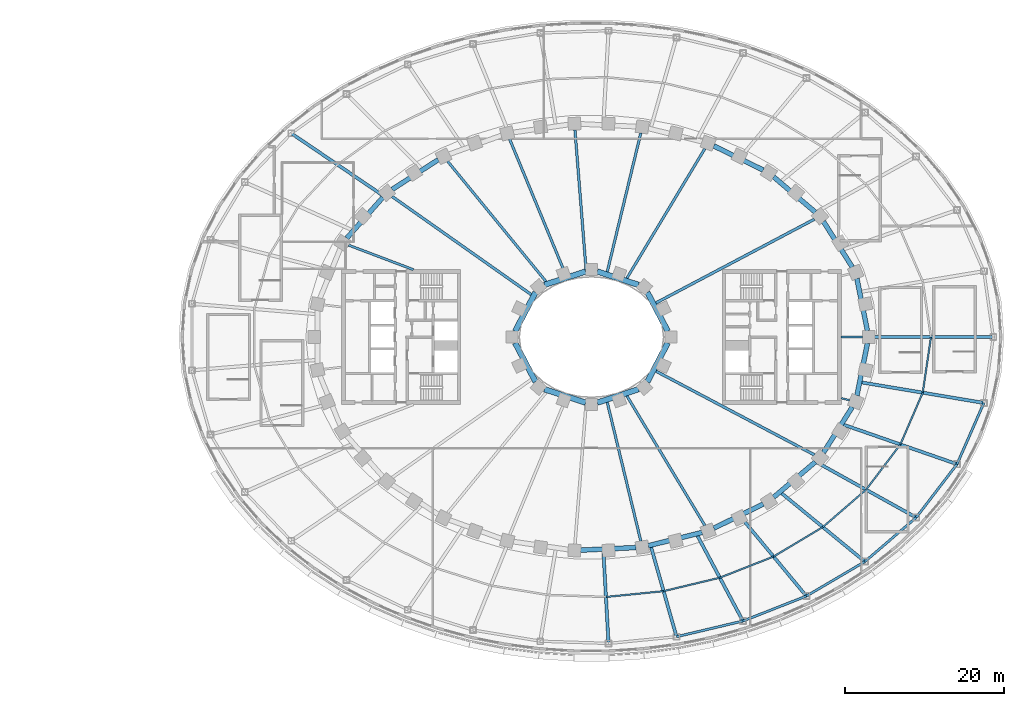
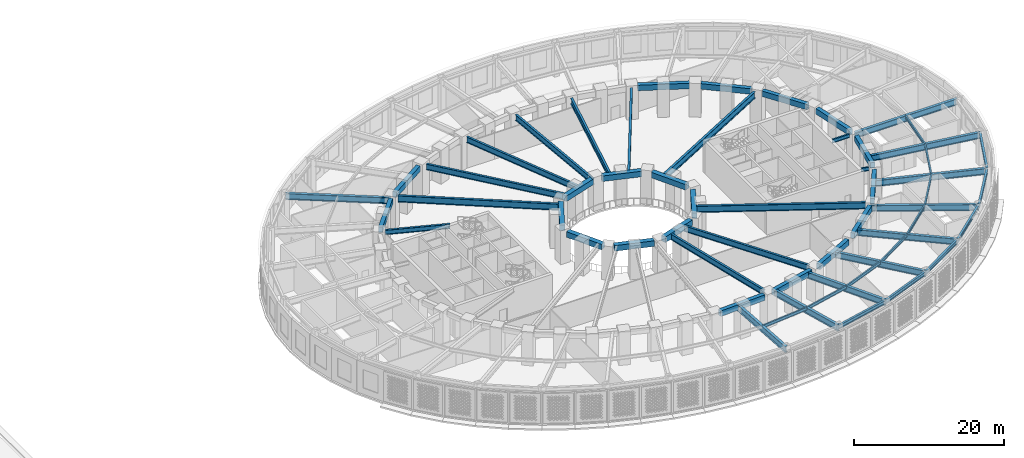
# One storey, part 4 of 63: 57 beams.
"""IFC4 building model written with IfcOpenShell, lengths in metres."""

from ifc_helpers import new_model, si_unit, direction, frame, origin, origin_2d, place, context, subcontext, project, spatial, rectangle, i_section, extrude, material, material_profile, profile_set, type_object, element, save


model = new_model("IFC4")

# Units and contexts
model_context = context("Model", 3, precision=1e-05, world=origin(), true_north=direction((0.0, 1.0)))
body_context = subcontext(model_context, "Body", "Model", "MODEL_VIEW")
ifc_project = project(units=[si_unit("LENGTHUNIT", "METRE"), si_unit("AREAUNIT", "SQUARE_METRE"), si_unit("VOLUMEUNIT", "CUBIC_METRE"), si_unit("PLANEANGLEUNIT", "RADIAN"), si_unit("MASSUNIT", "GRAM", prefix="KILO")], contexts=[model_context])

# Site, building, storey
site_placement = place(None, origin())
site = spatial("IfcSite", under=ifc_project, at=site_placement, CompositionType="ELEMENT")
building_placement = place(site_placement, origin())
building = spatial("IfcBuilding", under=site, at=building_placement, Name="Noorbagh Ring Tower", CompositionType="ELEMENT")
storey_placement = place(building_placement, frame((0.0, 0.0, 25.0)))
storey = spatial("IfcBuildingStorey", under=building, at=storey_placement, Name="L04", CompositionType="ELEMENT", Elevation=25.0)

# Beams
ifc_material_1 = material(Name="Steel S355", Category="steel")
ifc_material_profile_1 = material_profile(ifc_material_1, i_section(OverallWidth=0.300048828125, OverallDepth=0.60009765625, WebThickness=0.015380859375, FlangeThickness=0.030029296875, FilletRadius=0.027099609375, at=origin_2d()), Name="HEB600")
ifc_profile_set_1 = profile_set([ifc_material_profile_1], Name="Steel S355")
beam_type_1 = type_object("IfcBeamType", Name="GND-EDGE-BEAM-HEB600", PredefinedType="BEAM", material=ifc_profile_set_1)
beam_1_placement = place(storey_placement, frame((10.724609375, -37.771240234375, 4.89990234375), z_axis=(0.973167977411, 0.230095822957, 0.0), x_axis=(-0.230095822957, 0.973167977411, 0.0)))
element("IfcBeam", 1, at=beam_1_placement, inside=storey, type_object=beam_type_1, Name="L04/bm/ERP-27", PredefinedType="BEAM", context=body_context, shape_type="SweptSolid", body=[
    extrude(i_section(OverallWidth=0.300048828125, OverallDepth=0.60009765625, WebThickness=0.015380859375, FlangeThickness=0.030029296875, FilletRadius=0.027099609375, at=origin_2d()), origin(), (0.0, 0.0, 1.0), 8.602783203125),
])
beam_2_placement = place(storey_placement, frame((19.0966796875, -35.791748046875, 4.89990234375), z_axis=(0.930571668723, 0.366109777758, 0.0), x_axis=(-0.366109777758, 0.930571668723, 0.0)))
element("IfcBeam", 2, at=beam_2_placement, inside=storey, type_object=beam_type_1, Name="L04/bm/ERP-28", PredefinedType="BEAM", context=body_context, shape_type="SweptSolid", body=[
    extrude(i_section(OverallWidth=0.300048828125, OverallDepth=0.60009765625, WebThickness=0.015380859375, FlangeThickness=0.030029296875, FilletRadius=0.027099609375, at=origin_2d()), origin(), (0.0, 0.0, 1.0), 8.58642578125),
])
beam_3_placement = place(storey_placement, frame((27.0869140625, -32.648193359375, 4.89990234375), z_axis=(0.8618652907, 0.507137279922, 0.0), x_axis=(-0.507137279922, 0.8618652907, 0.0)))
element("IfcBeam", 3, at=beam_3_placement, inside=storey, type_object=beam_type_1, Name="L04/bm/ERP-29", PredefinedType="BEAM", context=body_context, shape_type="SweptSolid", body=[
    extrude(i_section(OverallWidth=0.300048828125, OverallDepth=0.60009765625, WebThickness=0.015380859375, FlangeThickness=0.030029296875, FilletRadius=0.027099609375, at=origin_2d()), origin(), (0.0, 0.0, 1.0), 8.560302734375),
])
beam_4_placement = place(storey_placement, frame((34.46484375, -28.306884765625, 4.89990234375), z_axis=(0.758254861469, 0.651958254076, 0.0), x_axis=(-0.651958254076, 0.758254861469, 0.0)))
element("IfcBeam", 4, at=beam_4_placement, inside=storey, type_object=beam_type_1, Name="L04/bm/ERP-30", PredefinedType="BEAM", context=body_context, shape_type="SweptSolid", body=[
    extrude(i_section(OverallWidth=0.300048828125, OverallDepth=0.60009765625, WebThickness=0.015380859375, FlangeThickness=0.030029296875, FilletRadius=0.027099609375, at=origin_2d()), origin(), (0.0, 0.0, 1.0), 8.5234375),
])
beam_5_placement = place(storey_placement, frame((40.927734375, -22.75, 4.89990234375), z_axis=(0.608048680374, 0.793899743227, 0.0), x_axis=(-0.793899743227, 0.608048680374, 0.0)))
element("IfcBeam", 5, at=beam_5_placement, inside=storey, type_object=beam_type_1, Name="L04/bm/ERP-31", PredefinedType="BEAM", context=body_context, shape_type="SweptSolid", body=[
    extrude(i_section(OverallWidth=0.300048828125, OverallDepth=0.60009765625, WebThickness=0.015380859375, FlangeThickness=0.030029296875, FilletRadius=0.027099609375, at=origin_2d()), origin(), (0.0, 0.0, 1.0), 8.4755859375),
])
beam_6_placement = place(storey_placement, frame((46.081298828125, -16.021240234375, 4.89990234375), z_axis=(0.401171506371, 0.916002959862, 0.0), x_axis=(-0.916002959862, 0.401171506371, 0.0)))
element("IfcBeam", 6, at=beam_6_placement, inside=storey, type_object=beam_type_1, Name="L04/bm/ERP-32", PredefinedType="BEAM", context=body_context, shape_type="SweptSolid", body=[
    extrude(i_section(OverallWidth=0.300048828125, OverallDepth=0.60009765625, WebThickness=0.015380859375, FlangeThickness=0.030029296875, FilletRadius=0.027099609375, at=origin_2d()), origin(), (0.0, 0.0, 1.0), 8.42431640625),
])
ifc_material_2 = material(Name="Steel S355", Category="steel")
ifc_material_profile_2 = material_profile(ifc_material_2, i_section(OverallWidth=0.39990234375, OverallDepth=1.0, WebThickness=0.01611328125, FlangeThickness=0.0400390625, at=origin_2d()), Name="PG1000x400x16x40")
ifc_profile_set_2 = profile_set([ifc_material_profile_2], Name="Steel S355")
beam_type_2 = type_object("IfcBeamType", Name="GND-GIRDER-PG1000x400x16x40", PredefinedType="BEAM", material=ifc_profile_set_2)
beam_7_placement = place(storey_placement, frame((50.646484375, 0.0, 4.699951171875), z_axis=(-1.0, 0.0, 0.0), x_axis=(0.0, -1.0, 0.0)))
element("IfcBeam", 7, at=beam_7_placement, inside=storey, type_object=beam_type_2, Name="L04/bm/GRP-01", PredefinedType="BEAM", context=body_context, shape_type="SweptSolid", body=[
    extrude(i_section(OverallWidth=0.39990234375, OverallDepth=1.0, WebThickness=0.01611328125, FlangeThickness=0.0400390625, at=origin_2d()), origin(), (0.0, 0.0, 1.0), 15.701904296875),
])
beam_8_placement = place(storey_placement, frame((-37.8330078125, 25.679931640625, 4.699951171875), z_axis=(0.82739656341, -0.561618132593, 0.0), x_axis=(0.561618132593, 0.82739656341, 0.0)))
element("IfcBeam", 8, at=beam_8_placement, inside=storey, type_object=beam_type_2, Name="L04/bm/GRP-14", PredefinedType="BEAM", context=body_context, shape_type="SweptSolid", body=[
    extrude(i_section(OverallWidth=0.39990234375, OverallDepth=1.0, WebThickness=0.01611328125, FlangeThickness=0.0400390625, at=origin_2d()), origin(), (0.0, 0.0, 1.0), 14.06640625),
])
beam_9_placement = place(storey_placement, frame((2.154541015625, -38.6142578125, 4.699951171875), z_axis=(-0.055716608816, 0.998446623261, 0.0), x_axis=(-0.998446623261, -0.055716608816, 0.0)))
element("IfcBeam", 9, at=beam_9_placement, inside=storey, type_object=beam_type_2, Name="L04/bm/GRP-26", PredefinedType="BEAM", context=body_context, shape_type="SweptSolid", body=[
    extrude(i_section(OverallWidth=0.39990234375, OverallDepth=1.0, WebThickness=0.01611328125, FlangeThickness=0.0400390625, at=origin_2d()), origin(), (0.0, 0.0, 1.0), 11.734619140625),
])
beam_10_placement = place(storey_placement, frame((10.724609375, -37.771240234375, 4.699951171875), z_axis=(-0.273130016452, 0.961977127645, 0.0), x_axis=(-0.961977127645, -0.273130016452, 0.0)))
element("IfcBeam", 10, at=beam_10_placement, inside=storey, type_object=beam_type_2, Name="L04/bm/GRP-27", PredefinedType="BEAM", context=body_context, shape_type="SweptSolid", body=[
    extrude(i_section(OverallWidth=0.39990234375, OverallDepth=1.0, WebThickness=0.01611328125, FlangeThickness=0.0400390625, at=origin_2d()), origin(), (0.0, 0.0, 1.0), 11.939208984375),
])
beam_11_placement = place(storey_placement, frame((19.0966796875, -35.791748046875, 4.699951171875), z_axis=(-0.470746944877, 0.88226827773, 0.0), x_axis=(-0.88226827773, -0.470746944877, 0.0)))
element("IfcBeam", 11, at=beam_11_placement, inside=storey, type_object=beam_type_2, Name="L04/bm/GRP-28", PredefinedType="BEAM", context=body_context, shape_type="SweptSolid", body=[
    extrude(i_section(OverallWidth=0.39990234375, OverallDepth=1.0, WebThickness=0.01611328125, FlangeThickness=0.0400390625, at=origin_2d()), origin(), (0.0, 0.0, 1.0), 12.375),
])
beam_12_placement = place(storey_placement, frame((27.0869140625, -32.648193359375, 4.699951171875), z_axis=(-0.638516852805, 0.769607840841, 0.0), x_axis=(-0.769607840841, -0.638516852805, 0.0)))
element("IfcBeam", 12, at=beam_12_placement, inside=storey, type_object=beam_type_2, Name="L04/bm/GRP-29", PredefinedType="BEAM", context=body_context, shape_type="SweptSolid", body=[
    extrude(i_section(OverallWidth=0.39990234375, OverallDepth=1.0, WebThickness=0.01611328125, FlangeThickness=0.0400390625, at=origin_2d()), origin(), (0.0, 0.0, 1.0), 12.943603515625),
])
beam_13_placement = place(storey_placement, frame((34.46484375, -28.306884765625, 4.699951171875), z_axis=(-0.772763025599, 0.63469465593, 0.0), x_axis=(-0.63469465593, -0.772763025599, 0.0)))
element("IfcBeam", 13, at=beam_13_placement, inside=storey, type_object=beam_type_2, Name="L04/bm/GRP-30", PredefinedType="BEAM", context=body_context, shape_type="SweptSolid", body=[
    extrude(i_section(OverallWidth=0.39990234375, OverallDepth=1.0, WebThickness=0.01611328125, FlangeThickness=0.0400390625, at=origin_2d()), origin(), (0.0, 0.0, 1.0), 13.723388671875),
])
beam_14_placement = place(storey_placement, frame((40.927734375, -22.75, 4.699951171875), z_axis=(-0.874045637009, 0.485843827197, 0.0), x_axis=(-0.485843827197, -0.874045637009, 0.0)))
element("IfcBeam", 14, at=beam_14_placement, inside=storey, type_object=beam_type_2, Name="L04/bm/GRP-31", PredefinedType="BEAM", context=body_context, shape_type="SweptSolid", body=[
    extrude(i_section(OverallWidth=0.39990234375, OverallDepth=1.0, WebThickness=0.01611328125, FlangeThickness=0.0400390625, at=origin_2d()), origin(), (0.0, 0.0, 1.0), 14.444580078125),
])
beam_15_placement = place(storey_placement, frame((46.081298828125, -16.021240234375, 4.699951171875), z_axis=(-0.94453989429, 0.328396693185, 0.0), x_axis=(-0.328396693185, -0.94453989429, 0.0)))
element("IfcBeam", 15, at=beam_15_placement, inside=storey, type_object=beam_type_2, Name="L04/bm/GRP-32", PredefinedType="BEAM", context=body_context, shape_type="SweptSolid", body=[
    extrude(i_section(OverallWidth=0.39990234375, OverallDepth=1.0, WebThickness=0.01611328125, FlangeThickness=0.0400390625, at=origin_2d()), origin(), (0.0, 0.0, 1.0), 15.12890625),
])
beam_16_placement = place(storey_placement, frame((49.4609375, -8.304443359375, 4.699951171875), z_axis=(-0.986194768087, 0.165589490602, 0.0), x_axis=(-0.165589490602, -0.986194768087, 0.0)))
element("IfcBeam", 16, at=beam_16_placement, inside=storey, type_object=beam_type_2, Name="L04/bm/GRP-33", PredefinedType="BEAM", context=body_context, shape_type="SweptSolid", body=[
    extrude(i_section(OverallWidth=0.39990234375, OverallDepth=1.0, WebThickness=0.01611328125, FlangeThickness=0.0400390625, at=origin_2d()), origin(), (0.0, 0.0, 1.0), 15.62841796875),
])
ifc_material_3 = material(Name="Steel S355", Category="steel")
ifc_material_profile_3 = material_profile(ifc_material_3, i_section(OverallWidth=0.199951171875, OverallDepth=0.5, WebThickness=0.01025390625, FlangeThickness=0.01611328125, FilletRadius=0.02099609375, at=origin_2d()), Name="IPE500")
ifc_profile_set_3 = profile_set([ifc_material_profile_3], Name="Steel S355")
beam_type_3 = type_object("IfcBeamType", Name="GND-MID-BEAM-IPE500", PredefinedType="JOIST", material=ifc_profile_set_3)
beam_17_placement = place(storey_placement, frame((1.82763671875, -32.756103515625, 4.949951171875), z_axis=(0.99502493545, 0.099626190493, 0.0), x_axis=(-0.099626190493, 0.99502493545, 0.0)))
element("IfcBeam", 17, at=beam_17_placement, inside=storey, type_object=beam_type_3, Name="L04/bm/MRP-26", PredefinedType="JOIST", context=body_context, shape_type="SweptSolid", body=[
    extrude(i_section(OverallWidth=0.199951171875, OverallDepth=0.5, WebThickness=0.01025390625, FlangeThickness=0.01611328125, FilletRadius=0.02099609375, at=origin_2d()), origin(), (0.0, 0.0, 1.0), 7.302734375),
])
beam_18_placement = place(storey_placement, frame((9.093994140625, -32.028564453125, 4.949951171875), z_axis=(0.972568186564, 0.23261797541, 0.0), x_axis=(-0.23261797541, 0.972568186564, 0.0)))
element("IfcBeam", 18, at=beam_18_placement, inside=storey, type_object=beam_type_3, Name="L04/bm/MRP-27", PredefinedType="JOIST", context=body_context, shape_type="SweptSolid", body=[
    extrude(i_section(OverallWidth=0.199951171875, OverallDepth=0.5, WebThickness=0.01025390625, FlangeThickness=0.01611328125, FilletRadius=0.02099609375, at=origin_2d()), origin(), (0.0, 0.0, 1.0), 7.2900390625),
])
beam_19_placement = place(storey_placement, frame((16.18408203125, -30.332763671875, 4.949951171875), z_axis=(0.930496782909, 0.36630006415, 0.0), x_axis=(-0.36630006415, 0.930496782909, 0.0)))
element("IfcBeam", 19, at=beam_19_placement, inside=storey, type_object=beam_type_3, Name="L04/bm/MRP-28", PredefinedType="JOIST", context=body_context, shape_type="SweptSolid", body=[
    extrude(i_section(OverallWidth=0.199951171875, OverallDepth=0.5, WebThickness=0.01025390625, FlangeThickness=0.01611328125, FilletRadius=0.02099609375, at=origin_2d()), origin(), (0.0, 0.0, 1.0), 7.276123046875),
])
beam_20_placement = place(storey_placement, frame((22.95458984375, -27.66748046875, 4.949951171875), z_axis=(0.858046251749, 0.513572419293, 0.0), x_axis=(-0.513572419293, 0.858046251749, 0.0)))
element("IfcBeam", 20, at=beam_20_placement, inside=storey, type_object=beam_type_3, Name="L04/bm/MRP-29", PredefinedType="JOIST", context=body_context, shape_type="SweptSolid", body=[
    extrude(i_section(OverallWidth=0.199951171875, OverallDepth=0.5, WebThickness=0.01025390625, FlangeThickness=0.01611328125, FilletRadius=0.02099609375, at=origin_2d()), origin(), (0.0, 0.0, 1.0), 7.23486328125),
])
beam_21_placement = place(storey_placement, frame((29.162353515625, -23.951904296875, 4.949951171875), z_axis=(0.756711012056, 0.653749527138, 0.0), x_axis=(-0.653749527138, 0.756711012056, 0.0)))
element("IfcBeam", 21, at=beam_21_placement, inside=storey, type_object=beam_type_3, Name="L04/bm/MRP-30", PredefinedType="JOIST", context=body_context, shape_type="SweptSolid", body=[
    extrude(i_section(OverallWidth=0.199951171875, OverallDepth=0.5, WebThickness=0.01025390625, FlangeThickness=0.01611328125, FilletRadius=0.02099609375, at=origin_2d()), origin(), (0.0, 0.0, 1.0), 7.2060546875),
])
beam_22_placement = place(storey_placement, frame((34.615234375, -19.240966796875, 4.949951171875), z_axis=(0.603852432952, 0.79709612922, 0.0), x_axis=(-0.79709612922, 0.603852432952, 0.0)))
element("IfcBeam", 22, at=beam_22_placement, inside=storey, type_object=beam_type_3, Name="L04/bm/MRP-31", PredefinedType="JOIST", context=body_context, shape_type="SweptSolid", body=[
    extrude(i_section(OverallWidth=0.199951171875, OverallDepth=0.5, WebThickness=0.01025390625, FlangeThickness=0.01611328125, FilletRadius=0.02099609375, at=origin_2d()), origin(), (0.0, 0.0, 1.0), 7.15576171875),
])
beam_23_placement = place(storey_placement, frame((38.936279296875, -13.537109375, 4.949951171875), z_axis=(0.396441936779, 0.918059796943, 0.0), x_axis=(-0.918059796943, 0.396441936779, 0.0)))
element("IfcBeam", 23, at=beam_23_placement, inside=storey, type_object=beam_type_3, Name="L04/bm/MRP-32", PredefinedType="JOIST", context=body_context, shape_type="SweptSolid", body=[
    extrude(i_section(OverallWidth=0.199951171875, OverallDepth=0.5, WebThickness=0.01025390625, FlangeThickness=0.01611328125, FilletRadius=0.02099609375, at=origin_2d()), origin(), (0.0, 0.0, 1.0), 7.109130859375),
])
beam_24_placement = place(storey_placement, frame((41.754638671875, -7.010498046875, 4.949951171875), z_axis=(0.146883230649, 0.989153838669, 0.0), x_axis=(-0.989153838669, 0.146883230649, 0.0)))
element("IfcBeam", 24, at=beam_24_placement, inside=storey, type_object=beam_type_3, Name="L04/bm/MRP-33", PredefinedType="JOIST", context=body_context, shape_type="SweptSolid", body=[
    extrude(i_section(OverallWidth=0.199951171875, OverallDepth=0.5, WebThickness=0.01025390625, FlangeThickness=0.01611328125, FilletRadius=0.02099609375, at=origin_2d()), origin(), (0.0, 0.0, 1.0), 7.08740234375),
])
ifc_material_4 = material(Name="Steel S355", Category="steel")
ifc_material_profile_4 = material_profile(ifc_material_4, i_section(OverallWidth=0.219970703125, OverallDepth=0.60009765625, WebThickness=0.011962890625, FlangeThickness=0.01904296875, FilletRadius=0.02392578125, at=origin_2d()), Name="IPE600")
ifc_profile_set_4 = profile_set([ifc_material_profile_4], Name="Steel S355")
beam_type_4 = type_object("IfcBeamType", Name="STR-RAD-IPE600", PredefinedType="BEAM", material=ifc_profile_set_4)
beam_25_placement = place(storey_placement, frame((34.164794921875, 0.0, 4.89990234375), z_axis=(-1.0, 0.0, 0.0), x_axis=(0.0, -1.0, 0.0)))
element("IfcBeam", 25, at=beam_25_placement, inside=storey, type_object=beam_type_4, Name="L04/bm/RD01", PredefinedType="BEAM", context=body_context, shape_type="SweptSolid", body=[
    extrude(i_section(OverallWidth=0.219970703125, OverallDepth=0.60009765625, WebThickness=0.011962890625, FlangeThickness=0.01904296875, FilletRadius=0.02392578125, at=origin_2d()), origin(), (0.0, 0.0, 1.0), 2.684814453125),
])
beam_26_placement = place(storey_placement, frame((32.538818359375, -7.9619140625, 4.89990234375), z_axis=(-0.971330054052, 0.237734991315, 0.0), x_axis=(-0.237734991315, -0.971330054052, 0.0)))
element("IfcBeam", 26, at=beam_26_placement, inside=storey, type_object=beam_type_4, Name="L04/bm/RD45", PredefinedType="BEAM", context=body_context, shape_type="SweptSolid", body=[
    extrude(i_section(OverallWidth=0.219970703125, OverallDepth=0.60009765625, WebThickness=0.011962890625, FlangeThickness=0.01904296875, FilletRadius=0.02392578125, at=origin_2d()), origin(), (0.0, 0.0, 1.0), 1.089599609375),
])
ifc_material_5 = material(Name="Steel S355", Category="steel")
ifc_material_profile_5 = material_profile(ifc_material_5, i_section(OverallWidth=0.35009765625, OverallDepth=1.050048828125, WebThickness=0.01806640625, FlangeThickness=0.033935546875, at=origin_2d()), Name="PG1050x350x18x34")
ifc_profile_set_5 = profile_set([ifc_material_profile_5], Name="Steel S355")
beam_type_5 = type_object("IfcBeamType", Name="STR-RAD-PG1050x350x18x34", PredefinedType="BEAM", material=ifc_profile_set_5)
beam_27_placement = place(storey_placement, frame((28.108642578125, 14.855224609375, 4.675048828125), z_axis=(-0.884121906441, -0.467256304988, 0.0), x_axis=(0.467256304988, -0.884121906441, 0.0)))
element("IfcBeam", 27, at=beam_27_placement, inside=storey, type_object=beam_type_5, Name="L04/bm/RD05", PredefinedType="BEAM", context=body_context, shape_type="SweptSolid", body=[
    extrude(i_section(OverallWidth=0.35009765625, OverallDepth=1.050048828125, WebThickness=0.01806640625, FlangeThickness=0.033935546875, at=origin_2d()), origin(), (0.0, 0.0, 1.0), 22.601806640625),
])
beam_28_placement = place(storey_placement, frame((-25.12353515625, 17.715576171875, 4.675048828125), z_axis=(0.817253259362, -0.576278673961, 0.0), x_axis=(0.576278673961, 0.817253259362, 0.0)))
element("IfcBeam", 28, at=beam_28_placement, inside=storey, type_object=beam_type_5, Name="L04/bm/RD19", PredefinedType="BEAM", context=body_context, shape_type="SweptSolid", body=[
    extrude(i_section(OverallWidth=0.35009765625, OverallDepth=1.050048828125, WebThickness=0.01806640625, FlangeThickness=0.033935546875, at=origin_2d()), origin(), (0.0, 0.0, 1.0), 21.471435546875),
])
beam_29_placement = place(storey_placement, frame((28.108642578125, -14.855224609375, 4.675048828125), z_axis=(-0.884121906441, 0.467256304988, 0.0), x_axis=(-0.467256304988, -0.884121906441, 0.0)))
element("IfcBeam", 29, at=beam_29_placement, inside=storey, type_object=beam_type_5, Name="L04/bm/RD43", PredefinedType="BEAM", context=body_context, shape_type="SweptSolid", body=[
    extrude(i_section(OverallWidth=0.35009765625, OverallDepth=1.050048828125, WebThickness=0.01806640625, FlangeThickness=0.033935546875, at=origin_2d()), origin(), (0.0, 0.0, 1.0), 22.601806640625),
])
ifc_material_6 = material(Name="Steel S355", Category="steel")
ifc_material_profile_6 = material_profile(ifc_material_6, i_section(OverallWidth=0.300048828125, OverallDepth=0.75, WebThickness=0.013916015625, FlangeThickness=0.02587890625, at=origin_2d()), Name="PG750x300x14x26")
ifc_profile_set_6 = profile_set([ifc_material_profile_6], Name="Steel S355")
beam_type_6 = type_object("IfcBeamType", Name="STR-RAD-PG750x300x14x26", PredefinedType="BEAM", material=ifc_profile_set_6)
beam_30_placement = place(storey_placement, frame((-30.619873046875, 11.5888671875, 4.824951171875), z_axis=(0.935258038122, -0.353966668102, 0.0), x_axis=(0.353966668102, 0.935258038122, 0.0)))
element("IfcBeam", 30, at=beam_30_placement, inside=storey, type_object=beam_type_6, Name="L04/bm/RD21", PredefinedType="BEAM", context=body_context, shape_type="SweptSolid", body=[
    extrude(i_section(OverallWidth=0.300048828125, OverallDepth=0.75, WebThickness=0.013916015625, FlangeThickness=0.02587890625, at=origin_2d()), origin(), (0.0, 0.0, 1.0), 8.746337890625),
])
ifc_material_7 = material(Name="Steel S355", Category="steel")
ifc_material_profile_7 = material_profile(ifc_material_7, i_section(OverallWidth=0.320068359375, OverallDepth=0.949951171875, WebThickness=0.01611328125, FlangeThickness=0.030029296875, at=origin_2d()), Name="PG950x320x16x30")
ifc_profile_set_7 = profile_set([ifc_material_profile_7], Name="Steel S355")
beam_type_7 = type_object("IfcBeamType", Name="STR-RAD-PG950x320x16x30", PredefinedType="BEAM", material=ifc_profile_set_7)
beam_31_placement = place(storey_placement, frame((14.29931640625, 23.759033203125, 4.72509765625), z_axis=(-0.515655762899, -0.856795853275, 0.0), x_axis=(0.856795853275, -0.515655762899, 0.0)))
element("IfcBeam", 31, at=beam_31_placement, inside=storey, type_object=beam_type_7, Name="L04/bm/RD09", PredefinedType="BEAM", context=body_context, shape_type="SweptSolid", body=[
    extrude(i_section(OverallWidth=0.320068359375, OverallDepth=0.949951171875, WebThickness=0.01611328125, FlangeThickness=0.030029296875, at=origin_2d()), origin(), (0.0, 0.0, 1.0), 19.0888671875),
])
beam_32_placement = place(storey_placement, frame((6.22509765625, 25.729248046875, 4.72509765625), z_axis=(-0.235155855534, -0.971957675832, 0.0), x_axis=(0.971957675832, -0.235155855534, 0.0)))
element("IfcBeam", 32, at=beam_32_placement, inside=storey, type_object=beam_type_7, Name="L04/bm/RD11", PredefinedType="BEAM", context=body_context, shape_type="SweptSolid", body=[
    extrude(i_section(OverallWidth=0.320068359375, OverallDepth=0.949951171875, WebThickness=0.01611328125, FlangeThickness=0.030029296875, at=origin_2d()), origin(), (0.0, 0.0, 1.0), 18.029541015625),
])
beam_33_placement = place(storey_placement, frame((-2.081298828125, 26.1201171875, 4.72509765625), z_axis=(0.079425808882, -0.996840780107, 0.0), x_axis=(0.996840780107, 0.079425808882, 0.0)))
element("IfcBeam", 33, at=beam_33_placement, inside=storey, type_object=beam_type_7, Name="L04/bm/RD13", PredefinedType="BEAM", context=body_context, shape_type="SweptSolid", body=[
    extrude(i_section(OverallWidth=0.320068359375, OverallDepth=0.949951171875, WebThickness=0.01611328125, FlangeThickness=0.030029296875, at=origin_2d()), origin(), (0.0, 0.0, 1.0), 18.227783203125),
])
beam_34_placement = place(storey_placement, frame((-10.311767578125, 24.9443359375, 4.72509765625), z_axis=(0.382034392842, -0.924148106467, 0.0), x_axis=(0.924148106467, 0.382034392842, 0.0)))
element("IfcBeam", 34, at=beam_34_placement, inside=storey, type_object=beam_type_7, Name="L04/bm/RD15", PredefinedType="BEAM", context=body_context, shape_type="SweptSolid", body=[
    extrude(i_section(OverallWidth=0.320068359375, OverallDepth=0.949951171875, WebThickness=0.01611328125, FlangeThickness=0.030029296875, at=origin_2d()), origin(), (0.0, 0.0, 1.0), 18.548583984375),
])
beam_35_placement = place(storey_placement, frame((-18.138427734375, 22.164794921875, 4.72509765625), z_axis=(0.633308995725, -0.773899034715, 0.0), x_axis=(0.773899034715, 0.633308995725, 0.0)))
element("IfcBeam", 35, at=beam_35_placement, inside=storey, type_object=beam_type_7, Name="L04/bm/RD17", PredefinedType="BEAM", context=body_context, shape_type="SweptSolid", body=[
    extrude(i_section(OverallWidth=0.320068359375, OverallDepth=0.949951171875, WebThickness=0.01611328125, FlangeThickness=0.030029296875, at=origin_2d()), origin(), (0.0, 0.0, 1.0), 19.603759765625),
])
beam_36_placement = place(storey_placement, frame((6.22509765625, -25.729248046875, 4.72509765625), z_axis=(-0.235155855534, 0.971957675832, 0.0), x_axis=(-0.971957675832, -0.235155855534, 0.0)))
element("IfcBeam", 36, at=beam_36_placement, inside=storey, type_object=beam_type_7, Name="L04/bm/RD37", PredefinedType="BEAM", context=body_context, shape_type="SweptSolid", body=[
    extrude(i_section(OverallWidth=0.320068359375, OverallDepth=0.949951171875, WebThickness=0.01611328125, FlangeThickness=0.030029296875, at=origin_2d()), origin(), (0.0, 0.0, 1.0), 18.029541015625),
])
beam_37_placement = place(storey_placement, frame((14.29931640625, -23.759033203125, 4.72509765625), z_axis=(-0.515655762899, 0.856795853275, 0.0), x_axis=(-0.856795853275, -0.515655762899, 0.0)))
element("IfcBeam", 37, at=beam_37_placement, inside=storey, type_object=beam_type_7, Name="L04/bm/RD39", PredefinedType="BEAM", context=body_context, shape_type="SweptSolid", body=[
    extrude(i_section(OverallWidth=0.320068359375, OverallDepth=0.949951171875, WebThickness=0.01611328125, FlangeThickness=0.030029296875, at=origin_2d()), origin(), (0.0, 0.0, 1.0), 19.0888671875),
])
ifc_material_8 = material(Name="Concrete C40/50", Category="concrete")
ifc_material_profile_8 = material_profile(ifc_material_8, rectangle(XDim=0.699951171875, YDim=0.89990234375, at=origin_2d()), Name="RC700x900")
ifc_profile_set_8 = profile_set([ifc_material_profile_8], Name="Concrete C40/50")
beam_type_8 = type_object("IfcBeamType", Name="STR-RB-RC700x900-C40-50", PredefinedType="BEAM", material=ifc_profile_set_8)
beam_38_placement = place(storey_placement, frame((9.623779296875, 0.732177734375, 4.75), z_axis=(-0.464916752751, 0.885354399668, 0.0), x_axis=(-0.885354399668, -0.464916752751, 0.0)))
element("IfcBeam", 38, at=beam_38_placement, inside=storey, type_object=beam_type_8, Name="L04/bm/RG01", PredefinedType="BEAM", context=body_context, shape_type="SweptSolid", body=[
    extrude(rectangle(XDim=0.699951171875, YDim=0.89990234375, at=origin_2d()), origin(), (0.0, 0.0, 1.0), 5.543701171875),
])
for number, where, z_axis, x_axis, name in (
    (39, (5.92431640625, 6.579833984375, 4.75), (-0.951144414124, 0.308746341648, 0.0), (-0.308746341648, -0.951144414124, 0.0), "L04/bm/RG03"),
    (40, (-0.73095703125, 8.265625, 4.75), (-0.951144414124, -0.308746341648, 0.0), (0.308746341648, -0.951144414124, 0.0), "L04/bm/RG05"),
):
    element("IfcBeam", number, at=place(storey_placement, frame(where, z_axis=z_axis, x_axis=x_axis)), inside=storey, type_object=beam_type_8, Name=name, PredefinedType="BEAM", context=body_context, shape_type="SweptSolid", body=[
        extrude(rectangle(XDim=0.699951171875, YDim=0.89990234375, at=origin_2d()), origin(), (0.0, 0.0, 1.0), 5.460205078125),
    ])
for number, where, z_axis, x_axis, name in (
    (41, (-7.04638671875, 5.640380859375, 4.75), (-0.464916752751, -0.885354399668, 0.0), (0.885354399668, -0.464916752751, 0.0), "L04/bm/RG07"),
    (42, (-9.623779296875, -0.732177734375, 4.75), (0.464916752751, -0.885354399668, 0.0), (0.885354399668, 0.464916752751, 0.0), "L04/bm/RG09"),
):
    element("IfcBeam", number, at=place(storey_placement, frame(where, z_axis=z_axis, x_axis=x_axis)), inside=storey, type_object=beam_type_8, Name=name, PredefinedType="BEAM", context=body_context, shape_type="SweptSolid", body=[
        extrude(rectangle(XDim=0.699951171875, YDim=0.89990234375, at=origin_2d()), origin(), (0.0, 0.0, 1.0), 5.543701171875),
    ])
for number, where, z_axis, x_axis, name in (
    (43, (-5.92431640625, -6.579833984375, 4.75), (0.951144414124, -0.308746341648, 0.0), (0.308746341648, 0.951144414124, 0.0), "L04/bm/RG11"),
    (44, (0.73095703125, -8.265625, 4.75), (0.951144414124, 0.308746341648, 0.0), (-0.308746341648, 0.951144414124, 0.0), "L04/bm/RG13"),
):
    element("IfcBeam", number, at=place(storey_placement, frame(where, z_axis=z_axis, x_axis=x_axis)), inside=storey, type_object=beam_type_8, Name=name, PredefinedType="BEAM", context=body_context, shape_type="SweptSolid", body=[
        extrude(rectangle(XDim=0.699951171875, YDim=0.89990234375, at=origin_2d()), origin(), (0.0, 0.0, 1.0), 5.460205078125),
    ])
beam_39_placement = place(storey_placement, frame((7.04638671875, -5.640380859375, 4.75), z_axis=(0.464916752751, 0.885354399668, 0.0), x_axis=(-0.885354399668, 0.464916752751, 0.0)))
element("IfcBeam", 45, at=beam_39_placement, inside=storey, type_object=beam_type_8, Name="L04/bm/RG15", PredefinedType="BEAM", context=body_context, shape_type="SweptSolid", body=[
    extrude(rectangle(XDim=0.699951171875, YDim=0.89990234375, at=origin_2d()), origin(), (0.0, 0.0, 1.0), 5.543701171875),
])
ifc_material_9 = material(Name="Concrete C40/50", Category="concrete")
ifc_material_profile_9 = material_profile(ifc_material_9, rectangle(XDim=0.60009765625, YDim=0.89990234375, at=origin_2d()), Name="RC600x900")
ifc_profile_set_9 = profile_set([ifc_material_profile_9], Name="Concrete C40/50")
beam_type_9 = type_object("IfcBeamType", Name="STR-SB-RC600x900-C40-50", PredefinedType="BEAM", material=ifc_profile_set_9)
beam_40_placement = place(storey_placement, frame((34.78759765625, 0.7802734375, 4.75), z_axis=(-0.197212569156, 0.980360751238, 0.0), x_axis=(-0.980360751238, -0.197212569156, 0.0)))
element("IfcBeam", 46, at=beam_40_placement, inside=storey, type_object=beam_type_9, Name="L04/bm/SP01", PredefinedType="BEAM", context=body_context, shape_type="SweptSolid", body=[
    extrude(rectangle(XDim=0.60009765625, YDim=0.89990234375, at=origin_2d()), origin(), (0.0, 0.0, 1.0), 6.72216796875),
])
beam_41_placement = place(storey_placement, frame((32.881103515625, 8.81884765625, 4.75), z_axis=(-0.535204111644, 0.844722770428, 0.0), x_axis=(-0.844722770428, -0.535204111644, 0.0)))
element("IfcBeam", 47, at=beam_41_placement, inside=storey, type_object=beam_type_9, Name="L04/bm/SP03", PredefinedType="BEAM", context=body_context, shape_type="SweptSolid", body=[
    extrude(rectangle(XDim=0.60009765625, YDim=0.89990234375, at=origin_2d()), origin(), (0.0, 0.0, 1.0), 6.800048828125),
])
beam_42_placement = place(storey_placement, frame((28.21728515625, 15.739990234375, 4.75), z_axis=(-0.763029833708, 0.646363266957, 0.0), x_axis=(-0.646363266957, -0.763029833708, 0.0)))
element("IfcBeam", 48, at=beam_42_placement, inside=storey, type_object=beam_type_9, Name="L04/bm/SP05", PredefinedType="BEAM", context=body_context, shape_type="SweptSolid", body=[
    extrude(rectangle(XDim=0.60009765625, YDim=0.89990234375, at=origin_2d()), origin(), (0.0, 0.0, 1.0), 6.886962890625),
])
beam_43_placement = place(storey_placement, frame((21.65625, 21.044921875, 4.75), z_axis=(-0.898397301801, 0.439183661031, 0.0), x_axis=(-0.439183661031, -0.898397301801, 0.0)))
element("IfcBeam", 49, at=beam_43_placement, inside=storey, type_object=beam_type_9, Name="L04/bm/SP07", PredefinedType="BEAM", context=body_context, shape_type="SweptSolid", body=[
    extrude(rectangle(XDim=0.60009765625, YDim=0.89990234375, at=origin_2d()), origin(), (0.0, 0.0, 1.0), 6.947509765625),
])
beam_44_placement = place(storey_placement, frame((-19.306396484375, 22.359375, 4.75), z_axis=(-0.840249989986, -0.542199183261, 0.0), x_axis=(0.542199183261, -0.840249989986, 0.0)))
element("IfcBeam", 50, at=beam_44_placement, inside=storey, type_object=beam_type_9, Name="L04/bm/SP17", PredefinedType="BEAM", context=body_context, shape_type="SweptSolid", body=[
    extrude(rectangle(XDim=0.60009765625, YDim=0.89990234375, at=origin_2d()), origin(), (0.0, 0.0, 1.0), 6.9208984375),
])
beam_45_placement = place(storey_placement, frame((-26.30517578125, 17.58984375, 4.75), z_axis=(-0.662635440904, -0.748942102206, 0.0), x_axis=(0.748942102206, -0.662635440904, 0.0)))
element("IfcBeam", 51, at=beam_45_placement, inside=storey, type_object=beam_type_9, Name="L04/bm/SP19", PredefinedType="BEAM", context=body_context, shape_type="SweptSolid", body=[
    extrude(rectangle(XDim=0.60009765625, YDim=0.89990234375, at=origin_2d()), origin(), (0.0, 0.0, 1.0), 6.845703125),
])
beam_46_placement = place(storey_placement, frame((-1.3603515625, -26.86083984375, 4.75), z_axis=(0.998867742854, 0.047573440964, 0.0), x_axis=(-0.047573440964, 0.998867742854, 0.0)))
element("IfcBeam", 52, at=beam_46_placement, inside=storey, type_object=beam_type_9, Name="L04/bm/SP35", PredefinedType="BEAM", context=body_context, shape_type="SweptSolid", body=[
    extrude(rectangle(XDim=0.60009765625, YDim=0.89990234375, at=origin_2d()), origin(), (0.0, 0.0, 1.0), 6.99462890625),
])
beam_47_placement = place(storey_placement, frame((7.170166015625, -26.302978515625, 4.75), z_axis=(0.970827667704, 0.239778313491, 0.0), x_axis=(-0.239778313491, 0.970827667704, 0.0)))
element("IfcBeam", 53, at=beam_47_placement, inside=storey, type_object=beam_type_9, Name="L04/bm/SP37", PredefinedType="BEAM", context=body_context, shape_type="SweptSolid", body=[
    extrude(rectangle(XDim=0.60009765625, YDim=0.89990234375, at=origin_2d()), origin(), (0.0, 0.0, 1.0), 6.981689453125),
])
beam_48_placement = place(storey_placement, frame((15.41455078125, -24.09619140625, 4.75), z_axis=(0.898397301801, 0.439183661031, 0.0), x_axis=(-0.439183661031, 0.898397301801, 0.0)))
element("IfcBeam", 54, at=beam_48_placement, inside=storey, type_object=beam_type_9, Name="L04/bm/SP39", PredefinedType="BEAM", context=body_context, shape_type="SweptSolid", body=[
    extrude(rectangle(XDim=0.60009765625, YDim=0.89990234375, at=origin_2d()), origin(), (0.0, 0.0, 1.0), 6.947509765625),
])
beam_49_placement = place(storey_placement, frame((22.96240234375, -20.19140625, 4.75), z_axis=(0.763029833708, 0.646363266957, 0.0), x_axis=(-0.646363266957, 0.763029833708, 0.0)))
element("IfcBeam", 55, at=beam_49_placement, inside=storey, type_object=beam_type_9, Name="L04/bm/SP41", PredefinedType="BEAM", context=body_context, shape_type="SweptSolid", body=[
    extrude(rectangle(XDim=0.60009765625, YDim=0.89990234375, at=origin_2d()), origin(), (0.0, 0.0, 1.0), 6.886962890625),
])
beam_50_placement = place(storey_placement, frame((29.24169921875, -14.56298828125, 4.75), z_axis=(0.535204111644, 0.844722770428, 0.0), x_axis=(-0.844722770428, 0.535204111644, 0.0)))
element("IfcBeam", 56, at=beam_50_placement, inside=storey, type_object=beam_type_9, Name="L04/bm/SP43", PredefinedType="BEAM", context=body_context, shape_type="SweptSolid", body=[
    extrude(rectangle(XDim=0.60009765625, YDim=0.89990234375, at=origin_2d()), origin(), (0.0, 0.0, 1.0), 6.800048828125),
])
beam_51_placement = place(storey_placement, frame((33.4619140625, -7.370361328125, 4.75), z_axis=(0.197212569156, 0.980360751238, 0.0), x_axis=(-0.980360751238, 0.197212569156, 0.0)))
element("IfcBeam", 57, at=beam_51_placement, inside=storey, type_object=beam_type_9, Name="L04/bm/SP45", PredefinedType="BEAM", context=body_context, shape_type="SweptSolid", body=[
    extrude(rectangle(XDim=0.60009765625, YDim=0.89990234375, at=origin_2d()), origin(), (0.0, 0.0, 1.0), 6.72216796875),
])

save(model, "model.ifc")
